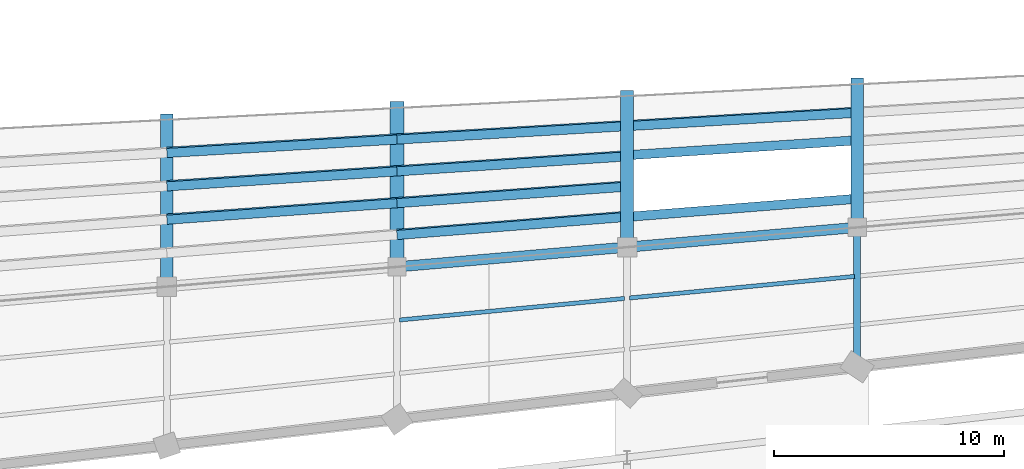
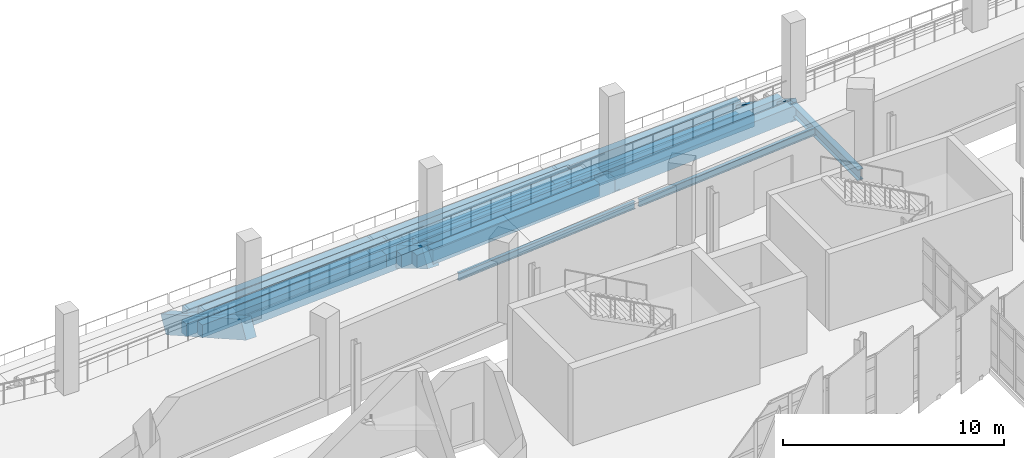
# One storey, part 43 of 134: 27 beams.
"""IFC4 building model written with IfcOpenShell, lengths in metres."""

from ifc_helpers import new_model, si_unit, direction, frame, origin, origin_2d, place, context, subcontext, project, spatial, rectangle, i_section, extrude, material, material_profile, profile_set, type_object, element, save


model = new_model("IFC4")

# Units and contexts
model_context = context("Model", 3, precision=1e-05, world=origin(), true_north=direction((0.0, 1.0)))
body_context = subcontext(model_context, "Body", "Model", "MODEL_VIEW")
ifc_project = project(units=[si_unit("LENGTHUNIT", "METRE"), si_unit("AREAUNIT", "SQUARE_METRE"), si_unit("VOLUMEUNIT", "CUBIC_METRE"), si_unit("PLANEANGLEUNIT", "RADIAN"), si_unit("MASSUNIT", "GRAM", prefix="KILO")], contexts=[model_context])

# Site, building, storey
site_placement = place(None, origin())
site = spatial("IfcSite", under=ifc_project, at=site_placement, CompositionType="ELEMENT")
building_placement = place(site_placement, origin())
building = spatial("IfcBuilding", under=site, at=building_placement, Name="Sohan Crest Arena", CompositionType="ELEMENT")
storey_placement = place(building_placement, frame((0.0, 0.0, 4.5)))
storey = spatial("IfcBuildingStorey", under=building, at=storey_placement, Name="L01", CompositionType="ELEMENT", Elevation=4.5)

# Beams
ifc_material_1 = material(Name="Steel S355", Category="steel")
ifc_material_profile_1 = material_profile(ifc_material_1, i_section(OverallWidth=0.179931640625, OverallDepth=0.39990234375, WebThickness=0.008544921875, FlangeThickness=0.013427734375, at=origin_2d()), Name="IPE 400")
ifc_profile_set_1 = profile_set([ifc_material_profile_1], Name="Steel S355")
beam_type_1 = type_object("IfcBeamType", Name="STR-BM-B03", PredefinedType="JOIST", material=ifc_profile_set_1)
beam_1_placement = place(storey_placement, frame((118.10888671875, 53.60400390625, -0.449951171875), z_axis=(0.995443739336, 0.095350730547, 0.0), x_axis=(-0.095350730547, 0.995443739336, 0.0)))
element("IfcBeam", 1, at=beam_1_placement, inside=storey, type_object=beam_type_1, Name="Structural beam J-L01-0375", PredefinedType="JOIST", context=body_context, shape_type="SweptSolid", body=[
    extrude(i_section(OverallWidth=0.179931640625, OverallDepth=0.39990234375, WebThickness=0.008544921875, FlangeThickness=0.013427734375, at=origin_2d()), origin(), (0.0, 0.0, 1.0), 9.826904296875),
])
beam_2_placement = place(storey_placement, frame((128.10888671875, 54.56103515625, -0.449951171875), z_axis=(0.995434302208, 0.095449201085, 0.0), x_axis=(-0.095449201085, 0.995434302208, 0.0)))
element("IfcBeam", 2, at=beam_2_placement, inside=storey, type_object=beam_type_1, Name="Structural beam J-L01-0397", PredefinedType="JOIST", context=body_context, shape_type="SweptSolid", body=[
    extrude(i_section(OverallWidth=0.179931640625, OverallDepth=0.39990234375, WebThickness=0.008544921875, FlangeThickness=0.013427734375, at=origin_2d()), origin(), (0.0, 0.0, 1.0), 9.8271484375),
])
ifc_material_profile_2 = material_profile(ifc_material_1, i_section(OverallWidth=0.300048828125, OverallDepth=0.590087890625, WebThickness=0.012939453125, FlangeThickness=0.02490234375, at=origin_2d()), Name="HEA 600")
ifc_profile_set_2 = profile_set([ifc_material_profile_2], Name="Steel S355")
beam_type_2 = type_object("IfcBeamType", Name="STR-BM-B11", PredefinedType="BEAM", material=ifc_profile_set_2)
beam_3_placement = place(storey_placement, frame((138.0, 57.62890625, -0.544921875), z_axis=(0.0, -1.0, 0.0), x_axis=(1.0, 0.0, 0.0)))
element("IfcBeam", 3, at=beam_3_placement, inside=storey, type_object=beam_type_2, Name="Structural beam G-L01-0418", PredefinedType="BEAM", context=body_context, shape_type="SweptSolid", body=[
    extrude(i_section(OverallWidth=0.300048828125, OverallDepth=0.590087890625, WebThickness=0.012939453125, FlangeThickness=0.02490234375, at=origin_2d()), origin(), (0.0, 0.0, 1.0), 6.057861328125),
])
ifc_material_2 = material(Name="Precast concrete C50/60", Category="concrete")
ifc_material_profile_3 = material_profile(ifc_material_2, rectangle(XDim=0.550048828125, YDim=0.89990234375, at=origin_2d()), Name="RAKER 550x900")
ifc_profile_set_3 = profile_set([ifc_material_profile_3], Name="Precast concrete C50/60")
beam_type_3 = type_object("IfcBeamType", Name="STR-BM-RK01", PredefinedType="USERDEFINED", material=ifc_profile_set_3)
beam_4_placement = place(storey_placement, frame((128.0, 63.343017578125, -4.75), z_axis=(0.0, -0.848428295971, 0.529310331087), x_axis=(1.0, 0.0, 0.0)))
element("IfcBeam", 4, at=beam_4_placement, inside=storey, type_object=beam_type_3, Name="Structural beam RK-L01-0856", ObjectType="RAKER", PredefinedType="USERDEFINED", context=body_context, shape_type="SweptSolid", body=[
    extrude(rectangle(XDim=0.550048828125, YDim=0.89990234375, at=origin_2d()), origin(), (0.0, 0.0, 1.0), 7.74609375),
])
ifc_material_profile_4 = material_profile(ifc_material_2, rectangle(XDim=0.550048828125, YDim=1.0, at=origin_2d()), Name="RAKER 550x1000")
ifc_profile_set_4 = profile_set([ifc_material_profile_4], Name="Precast concrete C50/60")
beam_type_4 = type_object("IfcBeamType", Name="STR-BM-RK02", PredefinedType="USERDEFINED", material=ifc_profile_set_4)
beam_5_placement = place(storey_placement, frame((108.0, 62.31396484375, -4.75), z_axis=(0.0, -0.870651744238, 0.491899929108), x_axis=(1.0, 0.0, 0.0)))
element("IfcBeam", 5, at=beam_5_placement, inside=storey, type_object=beam_type_4, Name="Structural beam RK-L01-0850", ObjectType="RAKER", PredefinedType="USERDEFINED", context=body_context, shape_type="SweptSolid", body=[
    extrude(rectangle(XDim=0.550048828125, YDim=1.0, at=origin_2d()), origin(), (0.0, 0.0, 1.0), 8.335205078125),
])
beam_6_placement = place(storey_placement, frame((138.0, 63.85693359375, -4.75), z_axis=(0.0, -0.835250089234, 0.549870246907), x_axis=(1.0, 0.0, 0.0)))
element("IfcBeam", 6, at=beam_6_placement, inside=storey, type_object=beam_type_4, Name="Structural beam RK-L01-0859", ObjectType="RAKER", PredefinedType="USERDEFINED", context=body_context, shape_type="SweptSolid", body=[
    extrude(rectangle(XDim=0.550048828125, YDim=1.0, at=origin_2d()), origin(), (0.0, 0.0, 1.0), 7.45654296875),
])
ifc_material_profile_5 = material_profile(ifc_material_2, rectangle(XDim=0.60009765625, YDim=1.10009765625, at=origin_2d()), Name="RAKER 600x1100")
ifc_profile_set_5 = profile_set([ifc_material_profile_5], Name="Precast concrete C50/60")
beam_type_5 = type_object("IfcBeamType", Name="STR-BM-RK03", PredefinedType="USERDEFINED", material=ifc_profile_set_5)
beam_7_placement = place(storey_placement, frame((118.0, 62.8291015625, -4.75), z_axis=(0.0, -0.860166209327, 0.510013815825), x_axis=(1.0, 0.0, 0.0)))
element("IfcBeam", 7, at=beam_7_placement, inside=storey, type_object=beam_type_5, Name="Structural beam RK-L01-0853", ObjectType="RAKER", PredefinedType="USERDEFINED", context=body_context, shape_type="SweptSolid", body=[
    extrude(rectangle(XDim=0.60009765625, YDim=1.10009765625, at=origin_2d()), origin(), (0.0, 0.0, 1.0), 8.039306640625),
])
ifc_material_3 = material(Name="Concrete C40/50", Category="concrete")
ifc_material_profile_6 = material_profile(ifc_material_3, rectangle(XDim=0.39990234375, YDim=0.699951171875, at=origin_2d()), Name="RC-BM 400x700")
ifc_profile_set_6 = profile_set([ifc_material_profile_6], Name="Concrete C40/50")
beam_type_6 = type_object("IfcBeamType", Name="STR-BM-TB01", PredefinedType="BEAM", material=ifc_profile_set_6)
beam_8_placement = place(storey_placement, frame((108.0, 60.9208984375, -4.220947265625), z_axis=(0.998321780946, 0.057910462684, 0.0), x_axis=(-0.057910462684, 0.998321780946, 0.0)))
element("IfcBeam", 8, at=beam_8_placement, inside=storey, type_object=beam_type_6, Name="Tier rear stringer beam TSB-L107B", PredefinedType="BEAM", context=body_context, shape_type="SweptSolid", body=[
    extrude(rectangle(XDim=0.39990234375, YDim=0.699951171875, at=origin_2d()), origin(), (0.0, 0.0, 1.0), 10.016845703125),
])
beam_9_placement = place(storey_placement, frame((108.0, 60.863037109375, -3.40087890625), z_axis=(0.99830482962, 0.058201951492, 0.0), x_axis=(-0.058201951492, 0.99830482962, 0.0)))
element("IfcBeam", 9, at=beam_9_placement, inside=storey, type_object=beam_type_6, Name="Tier front stringer beam TSB-L108A", PredefinedType="BEAM", context=body_context, shape_type="SweptSolid", body=[
    extrude(rectangle(XDim=0.39990234375, YDim=0.699951171875, at=origin_2d()), origin(), (0.0, 0.0, 1.0), 10.01708984375),
])
beam_10_placement = place(storey_placement, frame((108.0, 59.468994140625, -3.40087890625), z_axis=(0.997901103245, 0.064756375303, 0.0), x_axis=(-0.064756375303, 0.997901103245, 0.0)))
element("IfcBeam", 10, at=beam_10_placement, inside=storey, type_object=beam_type_6, Name="Tier rear stringer beam TSB-L108B", PredefinedType="BEAM", context=body_context, shape_type="SweptSolid", body=[
    extrude(rectangle(XDim=0.39990234375, YDim=0.699951171875, at=origin_2d()), origin(), (0.0, 0.0, 1.0), 10.02099609375),
])
beam_11_placement = place(storey_placement, frame((108.0, 59.410888671875, -2.5810546875), z_axis=(0.997880587453, 0.065071754128, 0.0), x_axis=(-0.065071754128, 0.997880587453, 0.0)))
element("IfcBeam", 11, at=beam_11_placement, inside=storey, type_object=beam_type_6, Name="Tier front stringer beam TSB-L109A", PredefinedType="BEAM", context=body_context, shape_type="SweptSolid", body=[
    extrude(rectangle(XDim=0.39990234375, YDim=0.699951171875, at=origin_2d()), origin(), (0.0, 0.0, 1.0), 10.021240234375),
])
beam_12_placement = place(storey_placement, frame((108.0, 58.01806640625, -2.5810546875), z_axis=(0.997439131676, 0.0715204768, 0.0), x_axis=(-0.0715204768, 0.997439131676, 0.0)))
element("IfcBeam", 12, at=beam_12_placement, inside=storey, type_object=beam_type_6, Name="Tier rear stringer beam TSB-L109B", PredefinedType="BEAM", context=body_context, shape_type="SweptSolid", body=[
    extrude(rectangle(XDim=0.39990234375, YDim=0.699951171875, at=origin_2d()), origin(), (0.0, 0.0, 1.0), 10.025634765625),
])
beam_13_placement = place(storey_placement, frame((108.0, 57.9599609375, -1.760986328125), z_axis=(0.997418243661, 0.07181119142, 0.0), x_axis=(-0.07181119142, 0.997418243661, 0.0)))
element("IfcBeam", 13, at=beam_13_placement, inside=storey, type_object=beam_type_6, Name="Tier front stringer beam TSB-L110A", PredefinedType="BEAM", context=body_context, shape_type="SweptSolid", body=[
    extrude(rectangle(XDim=0.39990234375, YDim=0.699951171875, at=origin_2d()), origin(), (0.0, 0.0, 1.0), 10.02587890625),
])
beam_14_placement = place(storey_placement, frame((118.0, 61.5009765625, -4.220947265625), z_axis=(0.998321780946, 0.057910462684, 0.0), x_axis=(-0.057910462684, 0.998321780946, 0.0)))
element("IfcBeam", 14, at=beam_14_placement, inside=storey, type_object=beam_type_6, Name="Tier rear stringer beam TSB-L117B", PredefinedType="BEAM", context=body_context, shape_type="SweptSolid", body=[
    extrude(rectangle(XDim=0.39990234375, YDim=0.699951171875, at=origin_2d()), origin(), (0.0, 0.0, 1.0), 10.016845703125),
])
beam_15_placement = place(storey_placement, frame((118.0, 61.446044921875, -3.40087890625), z_axis=(0.99830482962, 0.058201951492, 0.0), x_axis=(-0.058201951492, 0.99830482962, 0.0)))
element("IfcBeam", 15, at=beam_15_placement, inside=storey, type_object=beam_type_6, Name="Tier front stringer beam TSB-L118A", PredefinedType="BEAM", context=body_context, shape_type="SweptSolid", body=[
    extrude(rectangle(XDim=0.39990234375, YDim=0.699951171875, at=origin_2d()), origin(), (0.0, 0.0, 1.0), 10.01708984375),
])
beam_16_placement = place(storey_placement, frame((118.0, 60.117919921875, -3.40087890625), z_axis=(0.997899528616, 0.064780635903, 0.0), x_axis=(-0.064780635903, 0.997899528616, 0.0)))
element("IfcBeam", 16, at=beam_16_placement, inside=storey, type_object=beam_type_6, Name="Tier rear stringer beam TSB-L118B", PredefinedType="BEAM", context=body_context, shape_type="SweptSolid", body=[
    extrude(rectangle(XDim=0.39990234375, YDim=0.699951171875, at=origin_2d()), origin(), (0.0, 0.0, 1.0), 10.02099609375),
])
beam_17_placement = place(storey_placement, frame((118.0, 60.06298828125, -2.5810546875), z_axis=(0.99788691053, 0.064974716562, 0.0), x_axis=(-0.064974716562, 0.99788691053, 0.0)))
element("IfcBeam", 17, at=beam_17_placement, inside=storey, type_object=beam_type_6, Name="Tier front stringer beam TSB-L119A", PredefinedType="BEAM", context=body_context, shape_type="SweptSolid", body=[
    extrude(rectangle(XDim=0.39990234375, YDim=0.699951171875, at=origin_2d()), origin(), (0.0, 0.0, 1.0), 10.021240234375),
])
beam_18_placement = place(storey_placement, frame((118.0, 58.735107421875, -2.5810546875), z_axis=(0.997440868558, 0.071496249758, 0.0), x_axis=(-0.071496249758, 0.997440868558, 0.0)))
element("IfcBeam", 18, at=beam_18_placement, inside=storey, type_object=beam_type_6, Name="Tier rear stringer beam TSB-L119B", PredefinedType="BEAM", context=body_context, shape_type="SweptSolid", body=[
    extrude(rectangle(XDim=0.39990234375, YDim=0.699951171875, at=origin_2d()), origin(), (0.0, 0.0, 1.0), 10.025634765625),
])
beam_19_placement = place(storey_placement, frame((118.0, 58.679931640625, -1.760986328125), z_axis=(0.997418243661, 0.07181119142, 0.0), x_axis=(-0.07181119142, 0.997418243661, 0.0)))
element("IfcBeam", 19, at=beam_19_placement, inside=storey, type_object=beam_type_6, Name="Tier front stringer beam TSB-L120A", PredefinedType="BEAM", context=body_context, shape_type="SweptSolid", body=[
    extrude(rectangle(XDim=0.39990234375, YDim=0.699951171875, at=origin_2d()), origin(), (0.0, 0.0, 1.0), 10.02587890625),
])
beam_20_placement = place(storey_placement, frame((118.0, 57.35205078125, -1.760986328125), z_axis=(0.996926126338, 0.078347294939, 0.0), x_axis=(-0.078347294939, 0.996926126338, 0.0)))
element("IfcBeam", 20, at=beam_20_placement, inside=storey, type_object=beam_type_6, Name="Tier rear stringer beam TSB-L120B", PredefinedType="BEAM", context=body_context, shape_type="SweptSolid", body=[
    extrude(rectangle(XDim=0.39990234375, YDim=0.699951171875, at=origin_2d()), origin(), (0.0, 0.0, 1.0), 10.03076171875),
])
beam_21_placement = place(storey_placement, frame((118.0, 57.297119140625, -0.94091796875), z_axis=(0.996910899512, 0.07854080744, 0.0), x_axis=(-0.07854080744, 0.996910899512, 0.0)))
element("IfcBeam", 21, at=beam_21_placement, inside=storey, type_object=beam_type_6, Name="Tier front stringer beam TSB-L121A", PredefinedType="BEAM", context=body_context, shape_type="SweptSolid", body=[
    extrude(rectangle(XDim=0.39990234375, YDim=0.699951171875, at=origin_2d()), origin(), (0.0, 0.0, 1.0), 10.031005859375),
])
for number, where, z_axis, x_axis, name in (
    (22, (128.0, 62.0810546875, -4.220947265625), (0.998323189741, 0.05788617128, 0.0), (-0.05788617128, 0.998323189741, 0.0), "Tier rear stringer beam TSB-L127B"),
    (23, (128.0, 62.029052734375, -3.40087890625), (0.998310489455, 0.058104790207, 0.0), (-0.058104790207, 0.998310489455, 0.0), "Tier front stringer beam TSB-L128A"),
):
    element("IfcBeam", number, at=place(storey_placement, frame(where, z_axis=z_axis, x_axis=x_axis)), inside=storey, type_object=beam_type_6, Name=name, PredefinedType="BEAM", context=body_context, shape_type="SweptSolid", body=[
        extrude(rectangle(XDim=0.39990234375, YDim=0.699951171875, at=origin_2d()), origin(), (0.0, 0.0, 1.0), 10.016845703125),
    ])
beam_22_placement = place(storey_placement, frame((128.0, 60.76708984375, -3.40087890625), z_axis=(0.997901103245, 0.064756375303, 0.0), x_axis=(-0.064756375303, 0.997901103245, 0.0)))
element("IfcBeam", 24, at=beam_22_placement, inside=storey, type_object=beam_type_6, Name="Tier rear stringer beam TSB-L128B", PredefinedType="BEAM", context=body_context, shape_type="SweptSolid", body=[
    extrude(rectangle(XDim=0.39990234375, YDim=0.699951171875, at=origin_2d()), origin(), (0.0, 0.0, 1.0), 10.02099609375),
])
beam_23_placement = place(storey_placement, frame((128.0, 58.0849609375, -0.94091796875), z_axis=(0.996893724993, 0.078758498391, 0.0), x_axis=(-0.078758498391, 0.996893724993, 0.0)))
element("IfcBeam", 25, at=beam_23_placement, inside=storey, type_object=beam_type_6, Name="Tier front stringer beam TSB-L129A", PredefinedType="BEAM", context=body_context, shape_type="SweptSolid", body=[
    extrude(rectangle(XDim=0.39990234375, YDim=0.699951171875, at=origin_2d()), origin(), (0.0, 0.0, 1.0), 10.03125),
])
ifc_material_profile_7 = material_profile(ifc_material_3, rectangle(XDim=0.449951171875, YDim=0.800048828125, at=origin_2d()), Name="RC-BM 450x800")
ifc_profile_set_7 = profile_set([ifc_material_profile_7], Name="Concrete C40/50")
beam_type_7 = type_object("IfcBeamType", Name="STR-BM-TB02", PredefinedType="BEAM", material=ifc_profile_set_7)
for number, where, z_axis, x_axis, name in (
    (26, (118.0, 55.9140625, -0.64990234375), (0.996348422929, 0.085380443469, 0.0), (-0.085380443469, 0.996348422929, 0.0), "Structural beam TB-L01-0372"),
    (27, (128.0, 56.77099609375, -0.64990234375), (0.996340141164, 0.085477032618, 0.0), (-0.085477032618, 0.996340141164, 0.0), "Structural beam TB-L01-0394"),
):
    element("IfcBeam", number, at=place(storey_placement, frame(where, z_axis=z_axis, x_axis=x_axis)), inside=storey, type_object=beam_type_7, Name=name, PredefinedType="BEAM", context=body_context, shape_type="SweptSolid", body=[
        extrude(rectangle(XDim=0.449951171875, YDim=0.800048828125, at=origin_2d()), origin(), (0.0, 0.0, 1.0), 10.03662109375),
    ])

save(model, "model.ifc")
